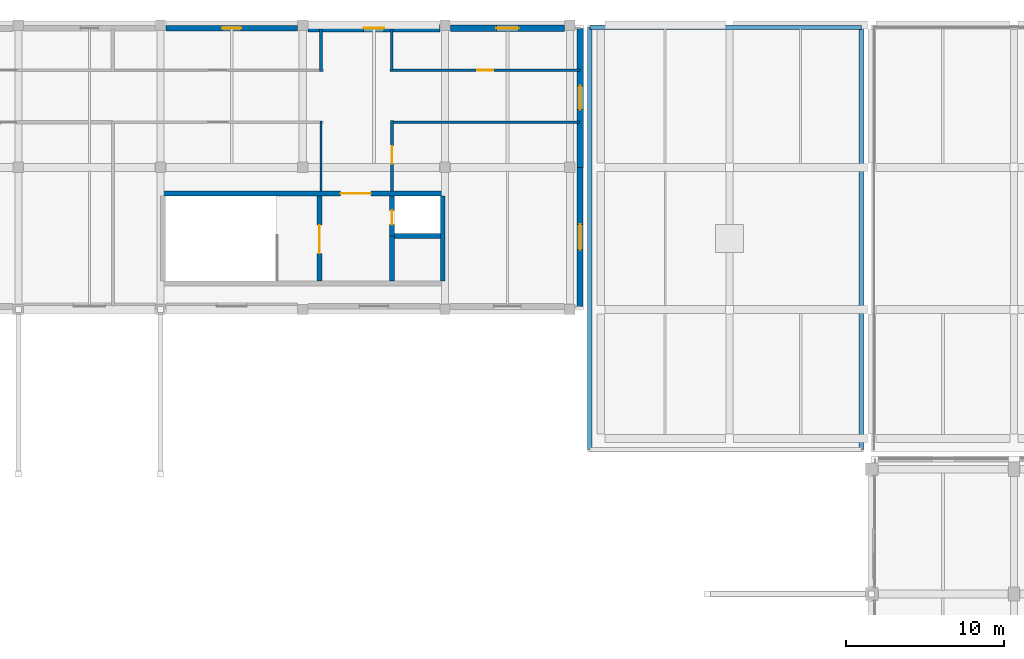
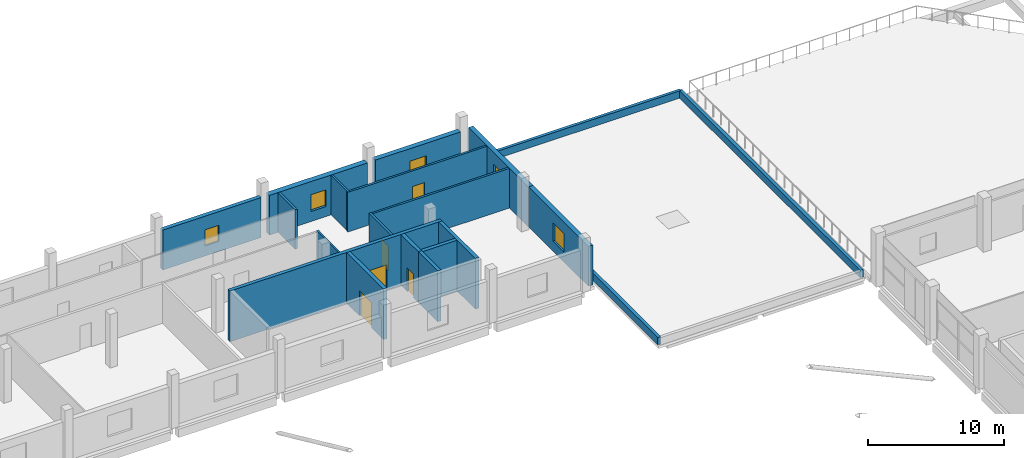
# One storey, part 61 of 82: 20 walls, 5 doors, 5 windows, 10 openings.
"""IFC4 building model written with IfcOpenShell, lengths in metres."""

from ifc_helpers import new_model, si_unit, direction, frame, frame_2d, origin, place, context, subcontext, project, spatial, rectangle, extrude, material, layer, layer_set, type_object, element, fill, save


model = new_model("IFC4")

# Units and contexts
model_context = context("Model", 3, precision=1e-05, world=origin(), true_north=direction((0.0, 1.0)))
body_context = subcontext(model_context, "Body", "Model", "MODEL_VIEW")
ifc_project = project(units=[si_unit("LENGTHUNIT", "METRE"), si_unit("AREAUNIT", "SQUARE_METRE"), si_unit("VOLUMEUNIT", "CUBIC_METRE"), si_unit("PLANEANGLEUNIT", "RADIAN"), si_unit("MASSUNIT", "GRAM", prefix="KILO"), si_unit("THERMODYNAMICTEMPERATUREUNIT", "KELVIN"), si_unit("POWERUNIT", "WATT")], contexts=[model_context])

# Site, building, storey
site_placement = place(None, origin())
site = spatial("IfcSite", under=ifc_project, at=site_placement, CompositionType="ELEMENT")
building_placement = place(site_placement, origin())
building = spatial("IfcBuilding", under=site, at=building_placement, Name="Sindhuravela Promenade Stadium", CompositionType="ELEMENT")
storey_placement = place(building_placement, frame((0.0, 0.0, 14.39990234375)))
storey = spatial("IfcBuildingStorey", under=building, at=storey_placement, Name="L03", CompositionType="ELEMENT", Elevation=14.39990234375)

# Wall, opening, window
ifc_material_1 = material(Name="Terracotta clay brick masonry (15 MPa)", Category="masonry")
ifc_layer_1 = layer(ifc_material_1, 0.340087890625)
ifc_layer_set_1 = layer_set([ifc_layer_1], Name="Terracotta clay brick masonry (15 MPa)")
wall_type_1 = type_object("IfcWallType", Name="EX-WL-BRK340", PredefinedType="SOLIDWALL", material=ifc_layer_set_1)
wall_1_placement = place(storey_placement, frame((135.330078125, 152.800048828125, 0.0), z_axis=(0.0, 0.0, 1.0), x_axis=(1.0, 0.0, 0.0)))
wall_1 = element("IfcWall", 1, at=wall_1_placement, inside=storey, type_object=wall_type_1, Name="Exterior masonry wall EW06 NORTH L03", PredefinedType="SOLIDWALL", context=body_context, shape_type="SweptSolid", body=[
    extrude(rectangle(XDim=8.33984375, YDim=0.340087890625, at=frame_2d((4.169921875, 0.0))), origin(), (0.0, 0.0, 1.0), 3.580078125),
])
opening_1_placement = place(wall_1_placement, frame((3.570068359375, 0.0, 0.89990234375)))
opening_1 = element("IfcOpeningElement", 2, at=opening_1_placement, cuts=wall_1, Name="Opening W02", PredefinedType="OPENING", context=body_context, shape_type="SweptSolid", body=[
    extrude(rectangle(XDim=1.199951171875, YDim=1.449951171875, at=frame_2d((0.60009765625, 0.72509765625))), frame((0.0, 0.179931640625, 0.0), z_axis=(0.0, -1.0, 0.0), x_axis=(1.0, 0.0, 0.0)), (0.0, 0.0, 1.0), 0.360107421875),
])
ifc_material_2 = material(Name="Tempered laminated low-E glass", Category="glass")
window_type_1 = type_object("IfcWindowType", Name="WN-FAC-1200x1450", PartitioningType="SINGLE_PANEL", PredefinedType="WINDOW", material=ifc_material_2)
window_1_placement = place(opening_1_placement, origin())
window_1 = element("IfcWindow", 3, at=window_1_placement, inside=storey, type_object=window_type_1, Name="Window W02 NORTH L03", OverallHeight=1.449951171875, OverallWidth=1.199951171875, PartitioningType="SINGLE_PANEL", PredefinedType="WINDOW", context=body_context, shape_type="SweptSolid", body=[
    extrude(rectangle(XDim=1.199951171875, YDim=1.449951171875, at=frame_2d((0.60009765625, 0.72509765625))), frame((0.0, 0.030029296875, 0.0), z_axis=(0.0, -1.0, 0.0), x_axis=(1.0, 0.0, 0.0)), (0.0, 0.0, 1.0), 0.06005859375),
])
fill(opening_1, window_1)

ifc_layer_2 = layer(ifc_material_1, 0.3798828125)
ifc_layer_set_2 = layer_set([ifc_layer_2], Name="Terracotta clay brick masonry (15 MPa)")
wall_type_2 = type_object("IfcWallType", Name="EX-WL-BRK380", PredefinedType="SOLIDWALL", material=ifc_layer_set_2)
wall_2_placement = place(storey_placement, frame((161.550048828125, 144.0, 0.0), z_axis=(0.0, 0.0, 1.0), x_axis=(0.0, -1.0, 0.0)))
wall_2 = element("IfcWall", 4, at=wall_2_placement, inside=storey, type_object=wall_type_2, Name="Exterior masonry wall EW04 NORTH L03", PredefinedType="SOLIDWALL", context=body_context, shape_type="SweptSolid", body=[
    extrude(rectangle(XDim=8.800048828125, YDim=0.3798828125, at=frame_2d((4.39990234375, 0.0))), origin(), (0.0, 0.0, 1.0), 3.580078125),
])
opening_2_placement = place(wall_2_placement, frame((3.60009765625, 0.0, 0.89990234375)))
opening_2 = element("IfcOpeningElement", 5, at=opening_2_placement, cuts=wall_2, Name="Opening W06", PredefinedType="OPENING", context=body_context, shape_type="SweptSolid", body=[
    extrude(rectangle(XDim=1.60009765625, YDim=1.64990234375, at=frame_2d((0.800048828125, 0.824951171875))), frame((0.0, 0.199951171875, 0.0), z_axis=(0.0, -1.0, 0.0), x_axis=(1.0, 0.0, 0.0)), (0.0, 0.0, 1.0), 0.39990234375),
])
window_type_2 = type_object("IfcWindowType", Name="WN-FAC-1600x1650", PartitioningType="SINGLE_PANEL", PredefinedType="WINDOW", material=ifc_material_2)
window_2_placement = place(opening_2_placement, origin())
window_2 = element("IfcWindow", 6, at=window_2_placement, inside=storey, type_object=window_type_2, Name="Window W06 NORTH L03", OverallHeight=1.64990234375, OverallWidth=1.60009765625, PartitioningType="SINGLE_PANEL", PredefinedType="WINDOW", context=body_context, shape_type="SweptSolid", body=[
    extrude(rectangle(XDim=1.60009765625, YDim=1.64990234375, at=frame_2d((0.800048828125, 0.824951171875))), frame((0.0, 0.030029296875, 0.0), z_axis=(0.0, -1.0, 0.0), x_axis=(1.0, 0.0, 0.0)), (0.0, 0.0, 1.0), 0.06005859375),
])
fill(opening_2, window_2)

ifc_layer_3 = layer(ifc_material_1, 0.39990234375)
ifc_layer_set_3 = layer_set([ifc_layer_3], Name="Terracotta clay brick masonry (15 MPa)")
wall_type_3 = type_object("IfcWallType", Name="EX-WL-BRK400", PredefinedType="SOLIDWALL", material=ifc_layer_set_3)
wall_3_placement = place(storey_placement, frame((161.550048828125, 152.800048828125, 0.0), z_axis=(0.0, 0.0, 1.0), x_axis=(0.0, -1.0, 0.0)))
wall_3 = element("IfcWall", 7, at=wall_3_placement, inside=storey, type_object=wall_type_3, Name="Exterior masonry wall EW03 NORTH L03", PredefinedType="SOLIDWALL", context=body_context, shape_type="SweptSolid", body=[
    extrude(rectangle(XDim=8.800048828125, YDim=0.39990234375, at=frame_2d((4.39990234375, 0.0))), origin(), (0.0, 0.0, 1.0), 3.580078125),
])
opening_3_placement = place(wall_3_placement, frame((3.64990234375, 0.0, 0.89990234375)))
opening_3 = element("IfcOpeningElement", 8, at=opening_3_placement, cuts=wall_3, Name="Opening W05", PredefinedType="OPENING", context=body_context, shape_type="SweptSolid", body=[
    extrude(rectangle(XDim=1.5, YDim=1.60009765625, at=frame_2d((0.75, 0.800048828125))), frame((0.0, 0.2099609375, 0.0), z_axis=(0.0, -1.0, 0.0), x_axis=(1.0, 0.0, 0.0)), (0.0, 0.0, 1.0), 0.419921875),
])
window_type_3 = type_object("IfcWindowType", Name="WN-FAC-1500x1600", PartitioningType="SINGLE_PANEL", PredefinedType="WINDOW", material=ifc_material_2)
window_3_placement = place(opening_3_placement, origin())
window_3 = element("IfcWindow", 9, at=window_3_placement, inside=storey, type_object=window_type_3, Name="Window W05 NORTH L03", OverallHeight=1.60009765625, OverallWidth=1.5, PartitioningType="SINGLE_PANEL", PredefinedType="WINDOW", context=body_context, shape_type="SweptSolid", body=[
    extrude(rectangle(XDim=1.5, YDim=1.60009765625, at=frame_2d((0.75, 0.800048828125))), frame((0.0, 0.030029296875, 0.0), z_axis=(0.0, -1.0, 0.0), x_axis=(1.0, 0.0, 0.0)), (0.0, 0.0, 1.0), 0.06005859375),
])
fill(opening_3, window_3)

ifc_layer_4 = layer(ifc_material_1, 0.419921875)
ifc_layer_set_4 = layer_set([ifc_layer_4], Name="Terracotta clay brick masonry (15 MPa)")
wall_type_4 = type_object("IfcWallType", Name="EX-WL-BRK420", PredefinedType="SOLIDWALL", material=ifc_layer_set_4)
wall_4_placement = place(storey_placement, frame((153.330078125, 152.800048828125, 0.0), z_axis=(0.0, 0.0, 1.0), x_axis=(1.0, 0.0, 0.0)))
wall_4 = element("IfcWall", 10, at=wall_4_placement, inside=storey, type_object=wall_type_4, Name="Exterior masonry wall EW02 NORTH L03", PredefinedType="SOLIDWALL", context=body_context, shape_type="SweptSolid", body=[
    extrude(rectangle(XDim=7.239990234375, YDim=0.419921875, at=frame_2d((3.6201171875, 0.0))), origin(), (0.0, 0.0, 1.0), 3.580078125),
])
opening_4_placement = place(wall_4_placement, frame((2.919921875, 0.0, 0.89990234375)))
opening_4 = element("IfcOpeningElement", 11, at=opening_4_placement, cuts=wall_4, Name="Opening W04", PredefinedType="OPENING", context=body_context, shape_type="SweptSolid", body=[
    extrude(rectangle(XDim=1.39990234375, YDim=1.550048828125, at=frame_2d((0.699951171875, 0.77490234375))), frame((0.0, 0.219970703125, 0.0), z_axis=(0.0, -1.0, 0.0), x_axis=(1.0, 0.0, 0.0)), (0.0, 0.0, 1.0), 0.43994140625),
])
window_type_4 = type_object("IfcWindowType", Name="WN-FAC-1400x1550", PartitioningType="SINGLE_PANEL", PredefinedType="WINDOW", material=ifc_material_2)
window_4_placement = place(opening_4_placement, origin())
window_4 = element("IfcWindow", 12, at=window_4_placement, inside=storey, type_object=window_type_4, Name="Window W04 NORTH L03", OverallHeight=1.550048828125, OverallWidth=1.39990234375, PartitioningType="SINGLE_PANEL", PredefinedType="WINDOW", context=body_context, shape_type="SweptSolid", body=[
    extrude(rectangle(XDim=1.39990234375, YDim=1.550048828125, at=frame_2d((0.699951171875, 0.77490234375))), frame((0.0, 0.030029296875, 0.0), z_axis=(0.0, -1.0, 0.0), x_axis=(1.0, 0.0, 0.0)), (0.0, 0.0, 1.0), 0.06005859375),
])
fill(opening_4, window_4)

ifc_layer_5 = layer(ifc_material_1, 0.4599609375)
ifc_layer_set_5 = layer_set([ifc_layer_5], Name="Terracotta clay brick masonry (15 MPa)")
wall_type_5 = type_object("IfcWallType", Name="EX-WL-BRK460", PredefinedType="SOLIDWALL", material=ifc_layer_set_5)
wall_5_placement = place(storey_placement, frame((144.330078125, 152.800048828125, 0.0), z_axis=(0.0, 0.0, 1.0), x_axis=(1.0, 0.0, 0.0)))
wall_5 = element("IfcWall", 13, at=wall_5_placement, inside=storey, type_object=wall_type_5, Name="Exterior masonry wall EW01 NORTH L03", PredefinedType="SOLIDWALL", context=body_context, shape_type="SweptSolid", body=[
    extrude(rectangle(XDim=8.33984375, YDim=0.4599609375, at=frame_2d((4.169921875, 0.0))), origin(), (0.0, 0.0, 1.0), 3.580078125),
])
opening_5_placement = place(wall_5_placement, frame((3.52001953125, 0.0, 0.89990234375)))
opening_5 = element("IfcOpeningElement", 14, at=opening_5_placement, cuts=wall_5, Name="Opening W03", PredefinedType="OPENING", context=body_context, shape_type="SweptSolid", body=[
    extrude(rectangle(XDim=1.300048828125, YDim=1.5, at=frame_2d((0.64990234375, 0.75))), frame((0.0, 0.239990234375, 0.0), z_axis=(0.0, -1.0, 0.0), x_axis=(1.0, 0.0, 0.0)), (0.0, 0.0, 1.0), 0.47998046875),
])
window_type_5 = type_object("IfcWindowType", Name="WN-FAC-1300x1500", PartitioningType="SINGLE_PANEL", PredefinedType="WINDOW", material=ifc_material_2)
window_5_placement = place(opening_5_placement, origin())
window_5 = element("IfcWindow", 15, at=window_5_placement, inside=storey, type_object=window_type_5, Name="Window W03 NORTH L03", OverallHeight=1.5, OverallWidth=1.300048828125, PartitioningType="SINGLE_PANEL", PredefinedType="WINDOW", context=body_context, shape_type="SweptSolid", body=[
    extrude(rectangle(XDim=1.300048828125, YDim=1.5, at=frame_2d((0.64990234375, 0.75))), frame((0.0, 0.030029296875, 0.0), z_axis=(0.0, -1.0, 0.0), x_axis=(1.0, 0.0, 0.0)), (0.0, 0.0, 1.0), 0.06005859375),
])
fill(opening_5, window_5)

# Walls
ifc_material_3 = material(Name="Dholpur sandstone ashlar (45 MPa)", Category="masonry")
ifc_layer_6 = layer(ifc_material_3, 0.25)
ifc_layer_set_6 = layer_set([ifc_layer_6], Name="Dholpur sandstone ashlar (45 MPa)")
wall_type_6 = type_object("IfcWallType", Name="EX-WL-PAR250", PredefinedType="PARAPET", material=ifc_layer_set_6)
wall_6_placement = place(storey_placement, frame((162.159912109375, 152.840087890625, 0.0), z_axis=(0.0, 0.0, 1.0), x_axis=(1.0, 0.0, 0.0)))
element("IfcWall", 16, at=wall_6_placement, inside=storey, type_object=wall_type_6, Name="Maintenance roof parapet Pavilion NE 33", PredefinedType="PARAPET", context=body_context, shape_type="SweptSolid", body=[
    extrude(rectangle(XDim=17.18017578125, YDim=0.25, at=frame_2d((8.590087890625, 0.0))), origin(), (0.0, 0.0, 1.0), 0.650146484375),
])
ifc_layer_7 = layer(ifc_material_1, 0.27001953125)
ifc_layer_set_7 = layer_set([ifc_layer_7], Name="Terracotta clay brick masonry (15 MPa)")
wall_type_7 = type_object("IfcWallType", Name="EX-WL-PAR270", PredefinedType="PARAPET", material=ifc_layer_set_7)
for number, where, z_axis, x_axis, name in (
    (17, (162.159912109375, 126.159912109375, 0.0), (0.0, 0.0, 1.0), (0.0, 1.0, 0.0), "Maintenance roof parapet Pavilion NE 32"),
    (18, (179.340087890625, 152.840087890625, 0.0), (0.0, 0.0, 1.0), (0.0, -1.0, 0.0), "Maintenance roof parapet Pavilion NE 34"),
):
    element("IfcWall", number, at=place(storey_placement, frame(where, z_axis=z_axis, x_axis=x_axis)), inside=storey, type_object=wall_type_7, Name=name, PredefinedType="PARAPET", context=body_context, shape_type="SweptSolid", body=[
        extrude(rectangle(XDim=26.68017578125, YDim=0.27001953125, at=frame_2d((13.340087890625, 0.0))), origin(), (0.0, 0.0, 1.0), 0.650146484375),
    ])
ifc_material_4 = material(Name="Fire-rated gypsum partition board", Category="gypsum")
ifc_layer_8 = layer(ifc_material_4, 0.1298828125)
ifc_layer_set_8 = layer_set([ifc_layer_8], Name="Fire-rated gypsum partition board")
wall_type_8 = type_object("IfcWallType", Name="IN-WL-PAR130", PredefinedType="PARTITIONING", material=ifc_layer_set_8)
wall_7_placement = place(storey_placement, frame((145.159912109375, 146.93994140625, 0.0), z_axis=(0.0, 0.0, 1.0), x_axis=(0.0, -1.0, 0.0)))
element("IfcWall", 19, at=wall_7_placement, inside=storey, type_object=wall_type_8, Name="Interior partition IW05 NORTH L03", PredefinedType="PARTITIONING", context=body_context, shape_type="SweptSolid", body=[
    extrude(rectangle(XDim=4.43798828125, YDim=0.1298828125, at=frame_2d((2.218994140625, 0.0))), origin(), (0.0, 0.0, 1.0), 3.56005859375),
])
ifc_layer_9 = layer(ifc_material_4, 0.14990234375)
ifc_layer_set_9 = layer_set([ifc_layer_9], Name="Fire-rated gypsum partition board")
wall_type_9 = type_object("IfcWallType", Name="IN-WL-PAR150", PredefinedType="PARTITIONING", material=ifc_layer_set_9)
wall_8_placement = place(storey_placement, frame((149.639892578125, 150.06005859375, 0.0), z_axis=(0.0, 0.0, 1.0), x_axis=(0.0, 1.0, 0.0)))
element("IfcWall", 20, at=wall_8_placement, inside=storey, type_object=wall_type_9, Name="Interior partition IW04 NORTH L03", PredefinedType="PARTITIONING", context=body_context, shape_type="SweptSolid", body=[
    extrude(rectangle(XDim=2.699951171875, YDim=0.14990234375, at=frame_2d((1.35009765625, 0.0))), origin(), (0.0, 0.0, 1.0), 3.56005859375),
])
ifc_layer_10 = layer(ifc_material_4, 0.175048828125)
ifc_layer_set_10 = layer_set([ifc_layer_10], Name="Fire-rated gypsum partition board")
wall_type_10 = type_object("IfcWallType", Name="IN-WL-PAR175", PredefinedType="PARTITIONING", material=ifc_layer_set_10)
wall_9_placement = place(storey_placement, frame((149.56005859375, 146.860107421875, 0.0), z_axis=(0.0, 0.0, 1.0), x_axis=(1.0, 0.0, 0.0)))
element("IfcWall", 21, at=wall_9_placement, inside=storey, type_object=wall_type_10, Name="Interior partition IW03 NORTH L03", PredefinedType="PARTITIONING", context=body_context, shape_type="SweptSolid", body=[
    extrude(rectangle(XDim=11.949951171875, YDim=0.175048828125, at=frame_2d((5.97509765625, 0.0))), origin(), (0.0, 0.0, 1.0), 3.56005859375),
])

# Wall, opening, door
wall_10_placement = place(storey_placement, frame((149.52001953125, 150.139892578125, 0.0), z_axis=(0.0, 0.0, 1.0), x_axis=(1.0, 0.0, 0.0)))
wall_10 = element("IfcWall", 22, at=wall_10_placement, inside=storey, type_object=wall_type_10, Name="Corridor partition IW03 North Refreshment Bar 9", PredefinedType="PARTITIONING", context=body_context, shape_type="SweptSolid", body=[
    extrude(rectangle(XDim=12.030029296875, YDim=0.175048828125, at=frame_2d((6.01513671875, 0.0))), origin(), (0.0, 0.0, 1.0), 3.56005859375),
])
opening_6_placement = place(wall_10_placement, frame((5.5048828125, 0.0, 0.0)))
opening_6 = element("IfcOpeningElement", 23, at=opening_6_placement, cuts=wall_10, Name="Opening ID11", PredefinedType="OPENING", context=body_context, shape_type="SweptSolid", body=[
    extrude(rectangle(XDim=1.02001953125, YDim=2.159912109375, at=frame_2d((0.510009765625, 1.080078125))), frame((0.0, 0.097412109375, 0.0), z_axis=(0.0, -1.0, 0.0), x_axis=(1.0, 0.0, 0.0)), (0.0, 0.0, 1.0), 0.195068359375),
])
ifc_material_5 = material(Name="Architectural teak timber leaf", Category="wood")
door_type_1 = type_object("IfcDoorType", Name="DR-INT-1020x2160", OperationType="NOTDEFINED", PredefinedType="DOOR", material=ifc_material_5)
door_1_placement = place(opening_6_placement, origin())
door_1 = element("IfcDoor", 24, at=door_1_placement, inside=storey, type_object=door_type_1, Name="North Refreshment Bar 9 door", OperationType="SINGLE_SWING_LEFT", OverallHeight=2.159912109375, OverallWidth=1.02001953125, PredefinedType="DOOR", context=body_context, shape_type="SweptSolid", body=[
    extrude(rectangle(XDim=1.02001953125, YDim=2.159912109375, at=frame_2d((0.510009765625, 1.080078125))), frame((0.0, 0.02490234375, 0.0), z_axis=(0.0, -1.0, 0.0), x_axis=(1.0, 0.0, 0.0)), (0.0, 0.0, 1.0), 0.050048828125),
])
fill(opening_6, door_1)

ifc_layer_11 = layer(ifc_material_4, 0.195068359375)
ifc_layer_set_11 = layer_set([ifc_layer_11], Name="Fire-rated gypsum partition board")
wall_type_11 = type_object("IfcWallType", Name="IN-WL-PAR195", PredefinedType="PARTITIONING", material=ifc_layer_set_11)
wall_11_placement = place(storey_placement, frame((149.639892578125, 146.97998046875, 0.0), z_axis=(0.0, 0.0, 1.0), x_axis=(0.0, -1.0, 0.0)))
wall_11 = element("IfcWall", 25, at=wall_11_placement, inside=storey, type_object=wall_type_11, Name="Corridor partition IW02 Public Toilet Block North L03", PredefinedType="PARTITIONING", context=body_context, shape_type="SweptSolid", body=[
    extrude(rectangle(XDim=4.47802734375, YDim=0.195068359375, at=frame_2d((2.239013671875, 0.0))), origin(), (0.0, 0.0, 1.0), 3.56005859375),
])
opening_7_placement = place(wall_11_placement, frame((1.639892578125, 0.0, 0.0)))
opening_7 = element("IfcOpeningElement", 26, at=opening_7_placement, cuts=wall_11, Name="Opening ID13", PredefinedType="OPENING", context=body_context, shape_type="SweptSolid", body=[
    extrude(rectangle(XDim=1.1201171875, YDim=2.219970703125, at=frame_2d((0.56005859375, 1.10986328125))), frame((0.0, 0.107421875, 0.0), z_axis=(0.0, -1.0, 0.0), x_axis=(1.0, 0.0, 0.0)), (0.0, 0.0, 1.0), 0.215087890625),
])
door_type_2 = type_object("IfcDoorType", Name="DR-INT-1120x2220", OperationType="NOTDEFINED", PredefinedType="DOOR", material=ifc_material_5)
door_2_placement = place(opening_7_placement, origin())
door_2 = element("IfcDoor", 27, at=door_2_placement, inside=storey, type_object=door_type_2, Name="Public Toilet Block North L03 door", OperationType="SINGLE_SWING_LEFT", OverallHeight=2.219970703125, OverallWidth=1.1201171875, PredefinedType="DOOR", context=body_context, shape_type="SweptSolid", body=[
    extrude(rectangle(XDim=1.1201171875, YDim=2.219970703125, at=frame_2d((0.56005859375, 1.10986328125))), frame((0.0, 0.02490234375, 0.0), z_axis=(0.0, -1.0, 0.0), x_axis=(1.0, 0.0, 0.0)), (0.0, 0.0, 1.0), 0.050048828125),
])
fill(opening_7, door_2)

# Wall
wall_12_placement = place(storey_placement, frame((145.159912109375, 152.760009765625, 0.0), z_axis=(0.0, 0.0, 1.0), x_axis=(0.0, -1.0, 0.0)))
element("IfcWall", 28, at=wall_12_placement, inside=storey, type_object=wall_type_11, Name="Interior partition IW02 NORTH L03", PredefinedType="PARTITIONING", context=body_context, shape_type="SweptSolid", body=[
    extrude(rectangle(XDim=2.699951171875, YDim=0.195068359375, at=frame_2d((1.35009765625, 0.0))), origin(), (0.0, 0.0, 1.0), 3.56005859375),
])

# Wall, opening, door
ifc_material_6 = material(Name="Concrete M50", Category="concrete")
ifc_layer_12 = layer(ifc_material_6, 0.300048828125)
ifc_layer_set_12 = layer_set([ifc_layer_12], Name="Concrete M50")
wall_type_12 = type_object("IfcWallType", Name="RC-SW-300", PredefinedType="SHEAR", material=ifc_layer_set_12)
wall_13_placement = place(storey_placement, frame((153.0, 142.35009765625, 0.0), z_axis=(0.0, 0.0, 1.0), x_axis=(-1.0, 0.0, 0.0)))
wall_13 = element("IfcWall", 29, at=wall_13_placement, inside=storey, type_object=wall_type_12, Name="Core shear wall C10-N (L03)", PredefinedType="SHEAR", context=body_context, shape_type="SweptSolid", body=[
    extrude(rectangle(XDim=18.0, YDim=0.300048828125, at=frame_2d((9.0, 0.0))), origin(), (0.0, 0.0, 1.0), 4.55517578125),
])
opening_8_placement = place(wall_13_placement, frame((4.699951171875, 0.0, 0.0)))
opening_8 = element("IfcOpeningElement", 30, at=opening_8_placement, cuts=wall_13, Name="Opening FD02", PredefinedType="OPENING", context=body_context, shape_type="SweptSolid", body=[
    extrude(rectangle(XDim=1.89990234375, YDim=2.25, at=frame_2d((0.949951171875, 1.125))), frame((0.0, 0.159912109375, 0.0), z_axis=(0.0, -1.0, 0.0), x_axis=(1.0, 0.0, 0.0)), (0.0, 0.0, 1.0), 0.320068359375),
])
ifc_material_7 = material(Name="Architectural wrought steel E350", Category="steel")
door_type_3 = type_object("IfcDoorType", Name="DR-LOB-1900x2250", OperationType="DOUBLE_DOOR_SINGLE_SWING", PredefinedType="DOOR", material=ifc_material_7)
door_3_placement = place(opening_8_placement, origin())
door_3 = element("IfcDoor", 31, at=door_3_placement, inside=storey, type_object=door_type_3, Name="Protected lobby entrance door C10 (L03)", OperationType="DOUBLE_DOOR_SINGLE_SWING", OverallHeight=2.25, OverallWidth=1.89990234375, PredefinedType="DOOR", context=body_context, shape_type="SweptSolid", body=[
    extrude(rectangle(XDim=1.89990234375, YDim=2.25, at=frame_2d((0.949951171875, 1.125))), frame((0.0, 0.02490234375, 0.0), z_axis=(0.0, -1.0, 0.0), x_axis=(1.0, 0.0, 0.0)), (0.0, 0.0, 1.0), 0.050048828125),
])
fill(opening_8, door_3)

# Wall
wall_14_placement = place(storey_placement, frame((152.85009765625, 136.800048828125, 0.0), z_axis=(0.0, 0.0, 1.0), x_axis=(0.0, 1.0, 0.0)))
element("IfcWall", 32, at=wall_14_placement, inside=storey, type_object=wall_type_12, Name="Core shear wall C10-E (L03)", PredefinedType="SHEAR", context=body_context, shape_type="SweptSolid", body=[
    extrude(rectangle(XDim=5.39990234375, YDim=0.300048828125, at=frame_2d((2.699951171875, 0.0))), origin(), (0.0, 0.0, 1.0), 4.55517578125),
])

# Wall, opening, door
wall_15_placement = place(storey_placement, frame((145.050048828125, 136.800048828125, 0.0), z_axis=(0.0, 0.0, 1.0), x_axis=(0.0, 1.0, 0.0)))
wall_15 = element("IfcWall", 33, at=wall_15_placement, inside=storey, type_object=wall_type_12, Name="Core shear wall C10-ST (L03)", PredefinedType="SHEAR", context=body_context, shape_type="SweptSolid", body=[
    extrude(rectangle(XDim=5.39990234375, YDim=0.300048828125, at=frame_2d((2.699951171875, 0.0))), origin(), (0.0, 0.0, 1.0), 4.55517578125),
])
opening_9_placement = place(wall_15_placement, frame((1.75, 0.0, 0.0)))
opening_9 = element("IfcOpeningElement", 34, at=opening_9_placement, cuts=wall_15, Name="Opening FD01", PredefinedType="OPENING", context=body_context, shape_type="SweptSolid", body=[
    extrude(rectangle(XDim=1.800048828125, YDim=2.25, at=frame_2d((0.89990234375, 1.125))), frame((0.0, 0.159912109375, 0.0), z_axis=(0.0, -1.0, 0.0), x_axis=(1.0, 0.0, 0.0)), (0.0, 0.0, 1.0), 0.320068359375),
])
door_type_4 = type_object("IfcDoorType", Name="DR-CORE-1800x2250", OperationType="DOUBLE_DOOR_SINGLE_SWING", PredefinedType="DOOR", material=ifc_material_7)
door_4_placement = place(opening_9_placement, origin())
door_4 = element("IfcDoor", 35, at=door_4_placement, inside=storey, type_object=door_type_4, Name="Stair ST10 lobby fire door (L03)", OperationType="DOUBLE_DOOR_SINGLE_SWING", OverallHeight=2.25, OverallWidth=1.800048828125, PredefinedType="DOOR", context=body_context, shape_type="SweptSolid", body=[
    extrude(rectangle(XDim=1.800048828125, YDim=2.25, at=frame_2d((0.89990234375, 1.125))), frame((0.0, 0.02490234375, 0.0), z_axis=(0.0, -1.0, 0.0), x_axis=(1.0, 0.0, 0.0)), (0.0, 0.0, 1.0), 0.050048828125),
])
fill(opening_9, door_4)

# Wall
wall_16_placement = place(storey_placement, frame((149.64990234375, 136.800048828125, 0.0), z_axis=(0.0, 0.0, 1.0), x_axis=(0.0, 1.0, 0.0)))
element("IfcWall", 36, at=wall_16_placement, inside=storey, type_object=wall_type_12, Name="Core shear wall C10-LFT (L03)", PredefinedType="SHEAR", context=body_context, shape_type="SweptSolid", body=[
    extrude(rectangle(XDim=2.849853515625, YDim=0.300048828125, at=frame_2d((1.4248046875, 0.0))), origin(), (0.0, 0.0, 1.0), 4.55517578125),
])

# Wall, opening, door
wall_17_placement = place(storey_placement, frame((149.64990234375, 139.64990234375, 0.0), z_axis=(0.0, 0.0, 1.0), x_axis=(0.0, 1.0, 0.0)))
wall_17 = element("IfcWall", 37, at=wall_17_placement, inside=storey, type_object=wall_type_12, Name="Core shear wall C10-RSR (L03)", PredefinedType="SHEAR", context=body_context, shape_type="SweptSolid", body=[
    extrude(rectangle(XDim=2.550048828125, YDim=0.300048828125, at=frame_2d((1.27490234375, 0.0))), origin(), (0.0, 0.0, 1.0), 4.55517578125),
])
opening_10_placement = place(wall_17_placement, frame((0.72509765625, 0.0, 0.0)))
opening_10 = element("IfcOpeningElement", 38, at=opening_10_placement, cuts=wall_17, Name="Opening FD03", PredefinedType="OPENING", context=body_context, shape_type="SweptSolid", body=[
    extrude(rectangle(XDim=0.89990234375, YDim=2.10009765625, at=frame_2d((0.449951171875, 1.050048828125))), frame((0.0, 0.159912109375, 0.0), z_axis=(0.0, -1.0, 0.0), x_axis=(1.0, 0.0, 0.0)), (0.0, 0.0, 1.0), 0.320068359375),
])
door_type_5 = type_object("IfcDoorType", Name="DR-RSR-900x2100", OperationType="NOTDEFINED", PredefinedType="DOOR", material=ifc_material_7)
door_5_placement = place(opening_10_placement, origin())
door_5 = element("IfcDoor", 39, at=door_5_placement, inside=storey, type_object=door_type_5, Name="Riser shaft access door C10 (L03)", OperationType="SINGLE_SWING_RIGHT", OverallHeight=2.10009765625, OverallWidth=0.89990234375, PredefinedType="DOOR", context=body_context, shape_type="SweptSolid", body=[
    extrude(rectangle(XDim=0.89990234375, YDim=2.10009765625, at=frame_2d((0.449951171875, 1.050048828125))), frame((0.0, 0.02490234375, 0.0), z_axis=(0.0, -1.0, 0.0), x_axis=(1.0, 0.0, 0.0)), (0.0, 0.0, 1.0), 0.050048828125),
])
fill(opening_10, door_5)

# Wall
wall_18_placement = place(storey_placement, frame((149.800048828125, 139.64990234375, 0.0), z_axis=(0.0, 0.0, 1.0), x_axis=(1.0, 0.0, 0.0)))
element("IfcWall", 40, at=wall_18_placement, inside=storey, type_object=wall_type_12, Name="Core shear wall C10-DIV (L03)", PredefinedType="SHEAR", context=body_context, shape_type="SweptSolid", body=[
    extrude(rectangle(XDim=2.89990234375, YDim=0.300048828125, at=frame_2d((1.449951171875, 0.0))), origin(), (0.0, 0.0, 1.0), 4.55517578125),
])

save(model, "model.ifc")
